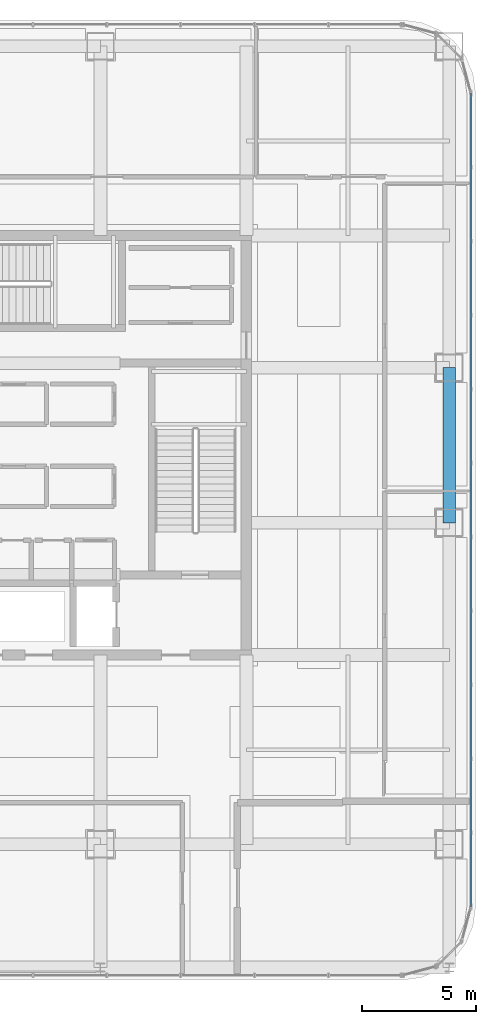
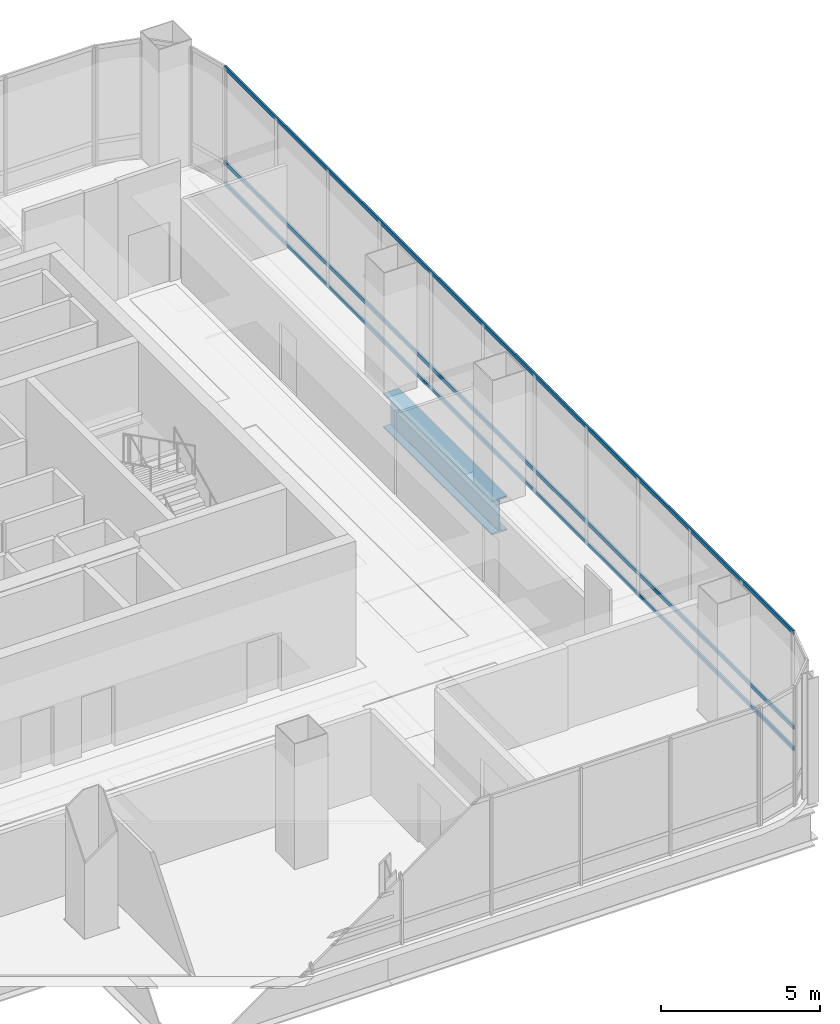
# One storey, part 21 of 45: 3 members, 1 beam, 1 element without a shape of its own.
"""IFC4 building model written with IfcOpenShell, lengths in metres."""

import ifcopenshell
import ifcopenshell.guid

model = None  # the IFC model being written
_history = None  # IfcOwnerHistory: only IFC2X3 demands one
_inside = {}  # id of a spatial element -> (the spatial element, [elements in it])
_under = {}  # id of a project, library or spatial element -> (it, [spatial elements below it])
_declared = {}  # id of a project -> (the project, [libraries it declares])
_typed = {}  # id of a type object -> (the type object, [elements of that type])
_made_of = {}  # id of a material, layer set ... -> (it, [elements and type objects made of it])


def new_model(schema):
    """Start an empty IFC model of exactly this schema.

    Asked for "IFC4X3", IfcOpenShell would pick the latest addendum, in which some entities
    have other attributes; the version numbers below select the first issue.
    IFC2X3 requires an IfcOwnerHistory on every rooted entity: one is made here for all.
    """
    global model, _history
    if schema == "IFC4X3":
        model = ifcopenshell.file(schema_version=(4, 3, 0, 0))
    else:
        model = ifcopenshell.file(schema=schema)
    _inside.clear()
    _under.clear()
    _declared.clear()
    _typed.clear()
    _made_of.clear()
    _history = None
    if model.schema == "IFC2X3":
        org = make("IfcOrganization", Name="unknown")
        user = make(
            "IfcPersonAndOrganization",
            ThePerson=make("IfcPerson", FamilyName="unknown"),
            TheOrganization=org,
        )
        app = make(
            "IfcApplication",
            ApplicationDeveloper=org,
            Version="unknown",
            ApplicationFullName="unknown",
            ApplicationIdentifier="unknown",
        )
        _history = make(
            "IfcOwnerHistory",
            OwningUser=user,
            OwningApplication=app,
            ChangeAction="ADDED",
            CreationDate=0,
        )
    return model


def make(cls, **values):
    """One entity of the class cls with the attributes given. An attribute that is None is left unset."""
    return model.create_entity(
        cls, **{name: value for name, value in values.items() if value is not None}
    )


def rooted(cls, **values):
    """An entity with a GlobalId (a new one), such as an element, a storey or a relation."""
    return make(cls, GlobalId=ifcopenshell.guid.new(), OwnerHistory=_history, **values)


def si_unit(unit_type, name, prefix=None):
    """IfcSIUnit, for example si_unit("LENGTHUNIT", "METRE", prefix="MILLI")."""
    return make("IfcSIUnit", UnitType=unit_type, Prefix=prefix, Name=name)


def assignment(units):
    """IfcUnitAssignment: the units of a project."""
    return None if units is None else make("IfcUnitAssignment", Units=units)


def point(xyz):
    """IfcCartesianPoint."""
    return None if xyz is None else make("IfcCartesianPoint", Coordinates=xyz)


def direction(xyz):
    """IfcDirection."""
    return None if xyz is None else make("IfcDirection", DirectionRatios=xyz)


def frame(location, z_axis=None, x_axis=None):
    """IfcAxis2Placement3D, a coordinate frame: its origin and axes. An axis left out is left unset."""
    return make(
        "IfcAxis2Placement3D",
        Location=point(location),
        Axis=direction(z_axis),
        RefDirection=direction(x_axis),
    )


def frame_2d(location, x_axis=None):
    """IfcAxis2Placement2D, a coordinate frame in the plane: its origin and x axis."""
    return make(
        "IfcAxis2Placement2D", Location=point(location), RefDirection=direction(x_axis)
    )


def origin():
    """The frame at (0, 0, 0) with its axes left unset."""
    return frame((0.0, 0.0, 0.0))


def origin_2d():
    """The frame at (0, 0) in the plane with its x axis left unset."""
    return frame_2d((0.0, 0.0))


def place(relative_to, where):
    """IfcLocalPlacement: puts the frame where relative to a parent placement (None: the world)."""
    return make(
        "IfcLocalPlacement", PlacementRelTo=relative_to, RelativePlacement=where
    )


def context(
    kind, dimensions, precision=None, world=None, true_north=None, identifier=None
):
    """IfcGeometricRepresentationContext, for example the 3D "Model" context."""
    return make(
        "IfcGeometricRepresentationContext",
        ContextIdentifier=identifier,
        ContextType=kind,
        CoordinateSpaceDimension=dimensions,
        Precision=precision,
        WorldCoordinateSystem=world,
        TrueNorth=true_north,
    )


def subcontext(parent, identifier, kind, view, scale=None):
    """IfcGeometricRepresentationSubContext, for example "Body" below "Model"."""
    return make(
        "IfcGeometricRepresentationSubContext",
        ContextIdentifier=identifier,
        ContextType=kind,
        ParentContext=parent,
        TargetScale=scale,
        TargetView=view,
    )


def project(units=None, contexts=None):
    """IfcProject with its units and contexts."""
    return rooted(
        "IfcProject",
        Name="project",
        RepresentationContexts=contexts,
        UnitsInContext=assignment(units),
    )


def spatial(cls, under=None, at=None, **own):
    """A site, building, storey or space (cls), placed at a placement, below another one or the project."""
    s = rooted(cls, ObjectPlacement=at, **own)
    if under is not None:
        _under.setdefault(under.id(), (under, []))[1].append(s)
    return s


def profile(cls, at=None, kind="AREA", **sizes):
    """A parametric profile (cls). Its sizes go by their IFC names, for example OverallWidth=200.0."""
    return make(cls, ProfileType=kind, Position=at, **sizes)


def hollow_rectangle(**sizes):
    """IfcRectangleHollowProfileDef."""
    return profile("IfcRectangleHollowProfileDef", **sizes)


def i_section(**sizes):
    """IfcIShapeProfileDef."""
    return profile("IfcIShapeProfileDef", **sizes)


def extrude(swept, where, along, depth):
    """IfcExtrudedAreaSolid: the profile swept, set in the frame where, extruded along a direction by depth."""
    return make(
        "IfcExtrudedAreaSolid",
        SweptArea=swept,
        Position=where,
        ExtrudedDirection=direction(along),
        Depth=depth,
    )


def shape(context_of_items, identifier, shape_type, items):
    """IfcShapeRepresentation: the items that make up one representation, for example the "Body"."""
    return make(
        "IfcShapeRepresentation",
        ContextOfItems=context_of_items,
        RepresentationIdentifier=identifier,
        RepresentationType=shape_type,
        Items=items,
    )


def material(Name=None, Category=None):
    """IfcMaterial."""
    return make("IfcMaterial", Name=Name, Category=Category)


def material_profile(
    of_material, cross_section, Name=None, Category=None, Priority=None
):
    """IfcMaterialProfile: a cross section and its material."""
    return make(
        "IfcMaterialProfile",
        Name=Name,
        Material=of_material,
        Profile=cross_section,
        Priority=Priority,
        Category=Category,
    )


def profile_set(profiles, Name=None, composite=None):
    """IfcMaterialProfileSet."""
    return make(
        "IfcMaterialProfileSet",
        Name=Name,
        MaterialProfiles=profiles,
        CompositeProfile=composite,
    )


def made_of(thing, what):
    """Note that an element or type object is made of a material, layer set ...; save() writes the relation."""
    if what is not None:
        _made_of.setdefault(what.id(), (what, []))[1].append(thing)
    return thing


def type_object(cls, material=None, **own):
    """A type object (cls), such as IfcWallType, which elements share."""
    return made_of(rooted(cls, **own), material)


def element(
    cls,
    number,
    at=None,
    inside=None,
    cuts=None,
    type_object=None,
    material=None,
    context=None,
    identifier="Body",
    shape_type=None,
    held_by="IfcProductDefinitionShape",
    body=None,
    shapes=None,
    **own,
):
    """One element of the class cls, such as IfcWall. Its Tag is "e" and its number.

    at: its placement. inside: the storey or other place that contains it. cuts: it is an
    opening in that element (IfcRelVoidsElement). A single representation is given by context,
    identifier, shape_type and body (its items); several are given by shapes. held_by: the class
    of the entity that holds the representations. save() writes the other relations.
    """
    e = rooted(cls, Tag="e%d" % number, ObjectPlacement=at, **own)
    if body is not None:
        shapes = [shape(context, identifier, shape_type, body)]
    if shapes is not None:
        e.Representation = make(held_by, Representations=shapes)
    if inside is not None:
        _inside.setdefault(inside.id(), (inside, []))[1].append(e)
    if cuts is not None:
        rooted(
            "IfcRelVoidsElement", RelatingBuildingElement=cuts, RelatedOpeningElement=e
        )
    if type_object is not None:
        _typed.setdefault(type_object.id(), (type_object, []))[1].append(e)
    return made_of(e, material)


def aggregate(whole, parts):
    """IfcRelAggregates: a whole, such as a stair, and the parts it consists of."""
    return rooted("IfcRelAggregates", RelatingObject=whole, RelatedObjects=parts)


def save(model, path):
    """Write the relations noted so far, then the file.

    IfcRelAggregates (storeys below a building ...), IfcRelContainedInSpatialStructure (elements
    in a storey), IfcRelDefinesByType, IfcRelAssociatesMaterial and IfcRelDeclares: one each for
    every whole, place, type object, material and project.
    """
    for whole, parts in _under.values():
        aggregate(whole, parts)
    for where, things in _inside.values():
        rooted(
            "IfcRelContainedInSpatialStructure",
            RelatedElements=things,
            RelatingStructure=where,
        )
    for kind, things in _typed.values():
        rooted("IfcRelDefinesByType", RelatedObjects=things, RelatingType=kind)
    for what, things in _made_of.values():
        rooted("IfcRelAssociatesMaterial", RelatedObjects=things, RelatingMaterial=what)
    for by, libraries in _declared.values():
        rooted("IfcRelDeclares", RelatingContext=by, RelatedDefinitions=libraries)
    model.write(path)


model = new_model("IFC4")

# Units and contexts
model_context = context("Model", 3, precision=1e-05, world=origin(), true_north=direction((0.0, 1.0)))
body_context = subcontext(model_context, "Body", "Model", "MODEL_VIEW")
ifc_project = project(units=[si_unit("LENGTHUNIT", "METRE"), si_unit("AREAUNIT", "SQUARE_METRE"), si_unit("VOLUMEUNIT", "CUBIC_METRE"), si_unit("PLANEANGLEUNIT", "RADIAN"), si_unit("MASSUNIT", "GRAM", prefix="KILO")], contexts=[model_context])

# Site, building, storey
site_placement = place(None, origin())
site = spatial("IfcSite", under=ifc_project, at=site_placement, CompositionType="ELEMENT")
building_placement = place(site_placement, origin())
building = spatial("IfcBuilding", under=site, at=building_placement, Name="Punatoya Terracotta Tower", CompositionType="ELEMENT")
storey_placement = place(building_placement, frame((0.0, 0.0, 339.0)))
storey = spatial("IfcBuildingStorey", under=building, at=storey_placement, Name="L80", CompositionType="ELEMENT", Elevation=339.0)

# Beam
ifc_material_1 = material(Name="Steel S460", Category="steel")
ifc_material_profile_1 = material_profile(ifc_material_1, i_section(OverallWidth=0.56005859375, OverallDepth=1.320068359375, WebThickness=0.035888671875, FlangeThickness=0.054931640625, FilletRadius=0.01806640625, at=origin_2d()))
ifc_profile_set_1 = profile_set([ifc_material_profile_1], Name="Steel S460")
beam_type = type_object("IfcBeamType", Name="BM-TG-BLK", PredefinedType="BEAM", material=ifc_profile_set_1)
beam_placement = place(storey_placement, frame((19.10009765625, -3.39990234375, -0.919921875), z_axis=(0.0, 1.0, 0.0), x_axis=(-1.0, 0.0, 0.0)))
element("IfcBeam", 1, at=beam_placement, inside=storey, type_object=beam_type, Name="BM-L80-RG-E2", PredefinedType="BEAM", context=body_context, shape_type="SweptSolid", body=[
    extrude(i_section(OverallWidth=0.56005859375, OverallDepth=1.320068359375, WebThickness=0.035888671875, FlangeThickness=0.054931640625, FilletRadius=0.01806640625, at=origin_2d()), origin(), (0.0, 0.0, 1.0), 6.7998046875),
])

# Curtain wall, members
ifc_material_2 = material(Name="Aluminium 6063-T6 + Double Low-E Glass", Category="aluminium")
curtain_wall_type = type_object("IfcCurtainWallType", Name="CW-OBS", PredefinedType="NOTDEFINED", material=ifc_material_2)
curtain_wall_placement = place(storey_placement, origin())
curtain_wall = element("IfcCurtainWall", 2, at=curtain_wall_placement, inside=storey, type_object=curtain_wall_type, Name="L80 Curtain Wall CW-L80-E05-1", PredefinedType="NOTDEFINED")
ifc_material_3 = material(Name="Aluminium 6063-T6", Category="aluminium")
ifc_material_profile_2 = material_profile(ifc_material_3, hollow_rectangle(XDim=0.068115234375, YDim=0.14990234375, WallThickness=0.00390625, at=origin_2d()))
ifc_profile_set_2 = profile_set([ifc_material_profile_2], Name="Aluminium 6063-T6")
member_type = type_object("IfcMemberType", Name="CW-TRN-TYP", PredefinedType="USERDEFINED", material=ifc_profile_set_2)
member_1_placement = place(storey_placement, frame((20.050048828125, -20.23681640625, 0.0400390625), z_axis=(0.0, 1.0, 0.0), x_axis=(-1.0, 0.0, 0.0)))
member_1 = element("IfcMember", 3, at=member_1_placement, type_object=member_type, Name="CW-L80-E05-1 Transom 1", ObjectType="TRANSOM", PredefinedType="USERDEFINED", context=body_context, shape_type="SweptSolid", body=[
    extrude(hollow_rectangle(XDim=0.068115234375, YDim=0.14990234375, WallThickness=0.00390625, at=origin_2d()), origin(), (0.0, 0.0, 1.0), 35.673828125),
])
member_2_placement = place(storey_placement, frame((20.050048828125, -20.23681640625, 0.85009765625), z_axis=(0.0, 1.0, 0.0), x_axis=(-1.0, 0.0, 0.0)))
member_2 = element("IfcMember", 4, at=member_2_placement, type_object=member_type, Name="CW-L80-E05-1 Transom 2", ObjectType="TRANSOM", PredefinedType="USERDEFINED", context=body_context, shape_type="SweptSolid", body=[
    extrude(hollow_rectangle(XDim=0.068115234375, YDim=0.14990234375, WallThickness=0.00390625, at=origin_2d()), origin(), (0.0, 0.0, 1.0), 35.673828125),
])
member_3_placement = place(storey_placement, frame((20.050048828125, -20.23681640625, 4.47998046875), z_axis=(0.0, 1.0, 0.0), x_axis=(-1.0, 0.0, 0.0)))
member_3 = element("IfcMember", 5, at=member_3_placement, type_object=member_type, Name="CW-L80-E05-1 Transom 3", ObjectType="TRANSOM", PredefinedType="USERDEFINED", context=body_context, shape_type="SweptSolid", body=[
    extrude(hollow_rectangle(XDim=0.068115234375, YDim=0.14990234375, WallThickness=0.00390625, at=origin_2d()), origin(), (0.0, 0.0, 1.0), 35.673828125),
])
aggregate(curtain_wall, [member_1, member_2, member_3])

save(model, "model.ifc")
